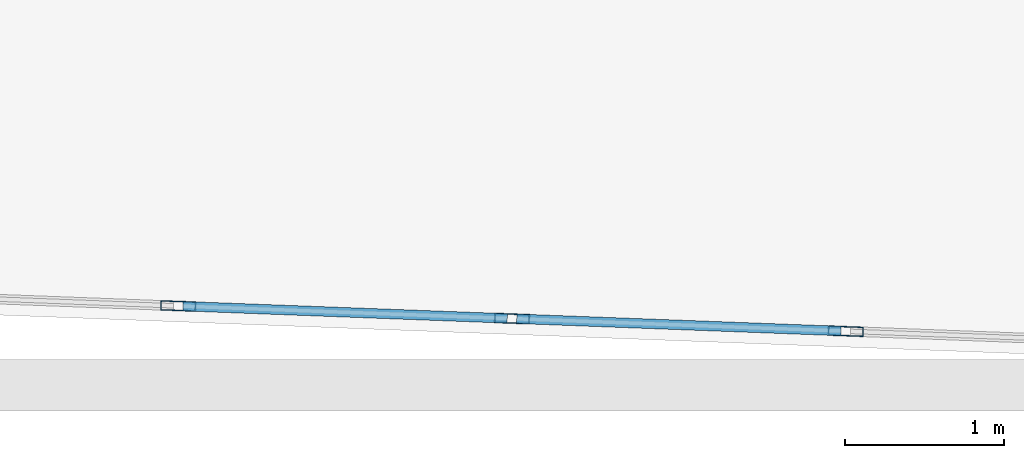
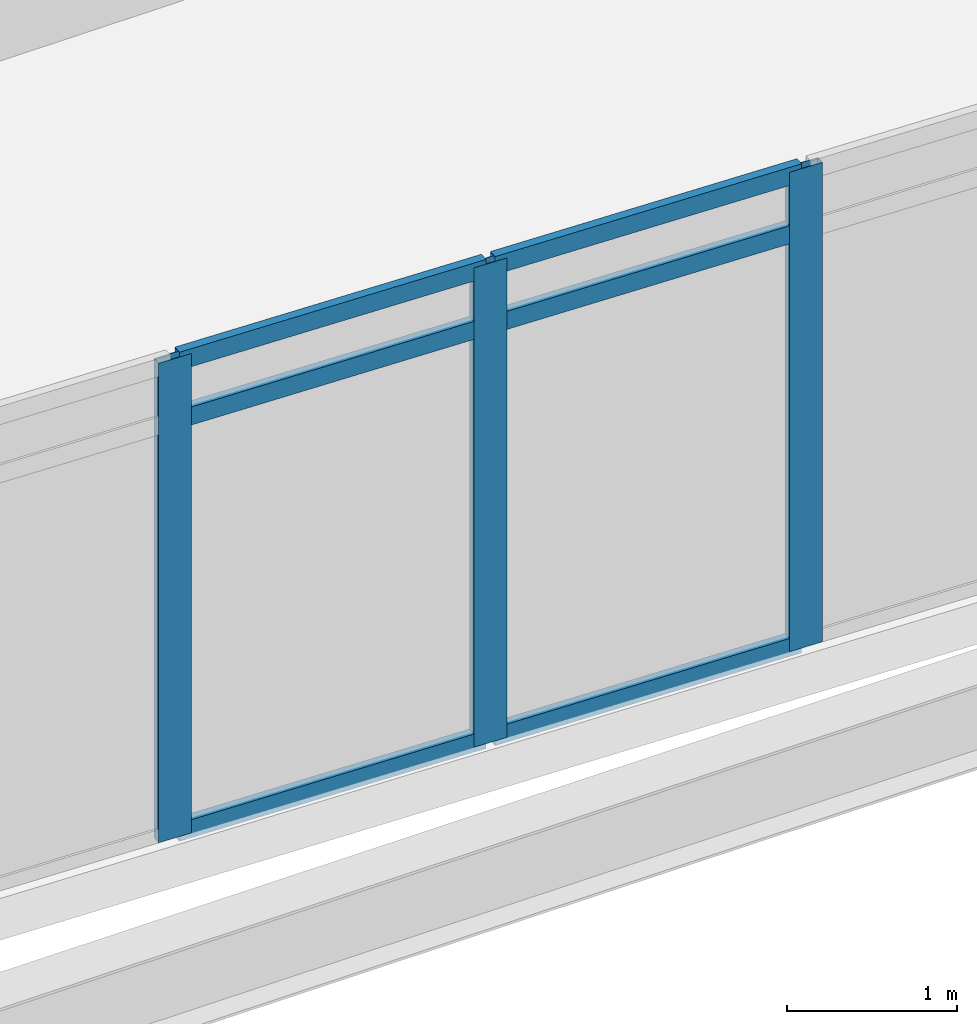
# One storey, part 4 of 37: 9 members, 1 element without a shape of its own.
"""IFC4 building model written with IfcOpenShell, lengths in metres."""

from ifc_helpers import new_model, si_unit, direction, frame, origin, origin_2d, place, context, subcontext, project, spatial, hollow_rectangle, extrude, material, material_profile, profile_set, type_object, element, aggregate, save


model = new_model("IFC4")

# Units and contexts
model_context = context("Model", 3, precision=1e-05, world=origin(), true_north=direction((0.0, 1.0)))
body_context = subcontext(model_context, "Body", "Model", "MODEL_VIEW")
ifc_project = project(units=[si_unit("LENGTHUNIT", "METRE"), si_unit("AREAUNIT", "SQUARE_METRE"), si_unit("VOLUMEUNIT", "CUBIC_METRE"), si_unit("PLANEANGLEUNIT", "RADIAN"), si_unit("MASSUNIT", "GRAM", prefix="KILO")], contexts=[model_context])

# Site, building, storey
site_placement = place(None, origin())
site = spatial("IfcSite", under=ifc_project, at=site_placement, CompositionType="ELEMENT")
building_placement = place(site_placement, origin())
building = spatial("IfcBuilding", under=site, at=building_placement, Name="Ostrander Bayou Hotel Tower", CompositionType="ELEMENT")
storey_placement = place(building_placement, frame((0.0, 0.0, 225.75)))
storey = spatial("IfcBuildingStorey", under=building, at=storey_placement, Name="L56", CompositionType="ELEMENT", Elevation=225.75)

# Curtain wall, members
ifc_material_1 = material(Name="Aluminium and clear glass", Category="aluminium")
curtain_wall_type = type_object("IfcCurtainWallType", Name="CW-BAR glazed wall", PredefinedType="NOTDEFINED", material=ifc_material_1)
curtain_wall_placement = place(storey_placement, origin())
curtain_wall = element("IfcCurtainWall", 1, at=curtain_wall_placement, inside=storey, type_object=curtain_wall_type, Name="CW-BAR L56:SB5S:T", PredefinedType="NOTDEFINED")
ifc_material_2 = material(Name="Aluminium", Category="aluminium")
ifc_material_profile_1 = material_profile(ifc_material_2, hollow_rectangle(XDim=0.06005859375, YDim=0.219970703125, WallThickness=0.00390625, at=origin_2d()))
ifc_profile_set_1 = profile_set([ifc_material_profile_1], Name="Aluminium")
member_type_1 = type_object("IfcMemberType", Name="CW-BR mullion 60 x 220 mm", PredefinedType="MULLION", material=ifc_profile_set_1)
member_1_placement = place(storey_placement, frame((0.0, -29.0, 0.0), z_axis=(0.0, 0.0, 1.0), x_axis=(0.037757725854, 0.99928692283, 0.0)))
member_1 = element("IfcMember", 2, at=member_1_placement, type_object=member_type_1, Name="CW-BAR mullion 6", PredefinedType="MULLION", context=body_context, shape_type="SweptSolid", body=[
    extrude(hollow_rectangle(XDim=0.06005859375, YDim=0.219970703125, WallThickness=0.00390625, at=origin_2d()), origin(), (0.0, 0.0, 1.0), 3.449951171875),
])
member_2_placement = place(storey_placement, frame((2.1025390625, -29.079345703125, 0.0), z_axis=(0.0, 0.0, 1.0), x_axis=(0.037757725854, 0.99928692283, 0.0)))
member_2 = element("IfcMember", 3, at=member_2_placement, type_object=member_type_1, Name="CW-BAR mullion 7", PredefinedType="MULLION", context=body_context, shape_type="SweptSolid", body=[
    extrude(hollow_rectangle(XDim=0.06005859375, YDim=0.219970703125, WallThickness=0.00390625, at=origin_2d()), origin(), (0.0, 0.0, 1.0), 3.449951171875),
])
member_3_placement = place(storey_placement, frame((4.204833984375, -29.158935546875, 0.0), z_axis=(0.0, 0.0, 1.0), x_axis=(0.037757725854, 0.99928692283, 0.0)))
member_3 = element("IfcMember", 4, at=member_3_placement, type_object=member_type_1, Name="CW-BAR mullion 8", PredefinedType="MULLION", context=body_context, shape_type="SweptSolid", body=[
    extrude(hollow_rectangle(XDim=0.06005859375, YDim=0.219970703125, WallThickness=0.00390625, at=origin_2d()), origin(), (0.0, 0.0, 1.0), 3.449951171875),
])
ifc_material_3 = material(Name="Aluminium", Category="aluminium")
ifc_material_profile_2 = material_profile(ifc_material_3, hollow_rectangle(XDim=0.06005859375, YDim=0.1298828125, WallThickness=0.00390625, at=origin_2d()))
ifc_profile_set_2 = profile_set([ifc_material_profile_2], Name="Aluminium")
member_type_2 = type_object("IfcMemberType", Name="CW-BR transom 60 x 130 mm", PredefinedType="USERDEFINED", material=ifc_profile_set_2)
member_4_placement = place(storey_placement, frame((0.030029296875, -29.001220703125, 0.030029296875), z_axis=(0.999287402917, -0.037745017849, 0.0), x_axis=(0.037745017849, 0.999287402917, 0.0)))
member_4 = element("IfcMember", 5, at=member_4_placement, type_object=member_type_2, Name="CW-BAR transom 6.1", ObjectType="TRANSOM", PredefinedType="USERDEFINED", context=body_context, shape_type="SweptSolid", body=[
    extrude(hollow_rectangle(XDim=0.06005859375, YDim=0.1298828125, WallThickness=0.00390625, at=origin_2d()), origin(), (0.0, 0.0, 1.0), 2.0439453125),
])
member_5_placement = place(storey_placement, frame((0.030029296875, -29.001220703125, 3.0), z_axis=(0.999287402917, -0.037745017849, 0.0), x_axis=(0.037745017849, 0.999287402917, 0.0)))
member_5 = element("IfcMember", 6, at=member_5_placement, type_object=member_type_2, Name="CW-BAR transom 6.2", ObjectType="TRANSOM", PredefinedType="USERDEFINED", context=body_context, shape_type="SweptSolid", body=[
    extrude(hollow_rectangle(XDim=0.06005859375, YDim=0.1298828125, WallThickness=0.00390625, at=origin_2d()), origin(), (0.0, 0.0, 1.0), 2.0439453125),
])
member_6_placement = place(storey_placement, frame((0.030029296875, -29.001220703125, 3.419921875), z_axis=(0.999287402917, -0.037745017849, 0.0), x_axis=(0.037745017849, 0.999287402917, 0.0)))
member_6 = element("IfcMember", 7, at=member_6_placement, type_object=member_type_2, Name="CW-BAR transom 6.3", ObjectType="TRANSOM", PredefinedType="USERDEFINED", context=body_context, shape_type="SweptSolid", body=[
    extrude(hollow_rectangle(XDim=0.06005859375, YDim=0.1298828125, WallThickness=0.00390625, at=origin_2d()), origin(), (0.0, 0.0, 1.0), 2.0439453125),
])
member_7_placement = place(storey_placement, frame((2.13232421875, -29.08056640625, 0.030029296875), z_axis=(0.999287402917, -0.037745017849, 0.0), x_axis=(0.037745017849, 0.999287402917, 0.0)))
member_7 = element("IfcMember", 8, at=member_7_placement, type_object=member_type_2, Name="CW-BAR transom 7.1", ObjectType="TRANSOM", PredefinedType="USERDEFINED", context=body_context, shape_type="SweptSolid", body=[
    extrude(hollow_rectangle(XDim=0.06005859375, YDim=0.1298828125, WallThickness=0.00390625, at=origin_2d()), origin(), (0.0, 0.0, 1.0), 2.0439453125),
])
member_8_placement = place(storey_placement, frame((2.13232421875, -29.08056640625, 3.0), z_axis=(0.999287402917, -0.037745017849, 0.0), x_axis=(0.037745017849, 0.999287402917, 0.0)))
member_8 = element("IfcMember", 9, at=member_8_placement, type_object=member_type_2, Name="CW-BAR transom 7.2", ObjectType="TRANSOM", PredefinedType="USERDEFINED", context=body_context, shape_type="SweptSolid", body=[
    extrude(hollow_rectangle(XDim=0.06005859375, YDim=0.1298828125, WallThickness=0.00390625, at=origin_2d()), origin(), (0.0, 0.0, 1.0), 2.0439453125),
])
member_9_placement = place(storey_placement, frame((2.13232421875, -29.08056640625, 3.419921875), z_axis=(0.999287402917, -0.037745017849, 0.0), x_axis=(0.037745017849, 0.999287402917, 0.0)))
member_9 = element("IfcMember", 10, at=member_9_placement, type_object=member_type_2, Name="CW-BAR transom 7.3", ObjectType="TRANSOM", PredefinedType="USERDEFINED", context=body_context, shape_type="SweptSolid", body=[
    extrude(hollow_rectangle(XDim=0.06005859375, YDim=0.1298828125, WallThickness=0.00390625, at=origin_2d()), origin(), (0.0, 0.0, 1.0), 2.0439453125),
])
aggregate(curtain_wall, [member_1, member_2, member_3, member_4, member_5, member_6, member_7, member_8, member_9])

save(model, "model.ifc")
